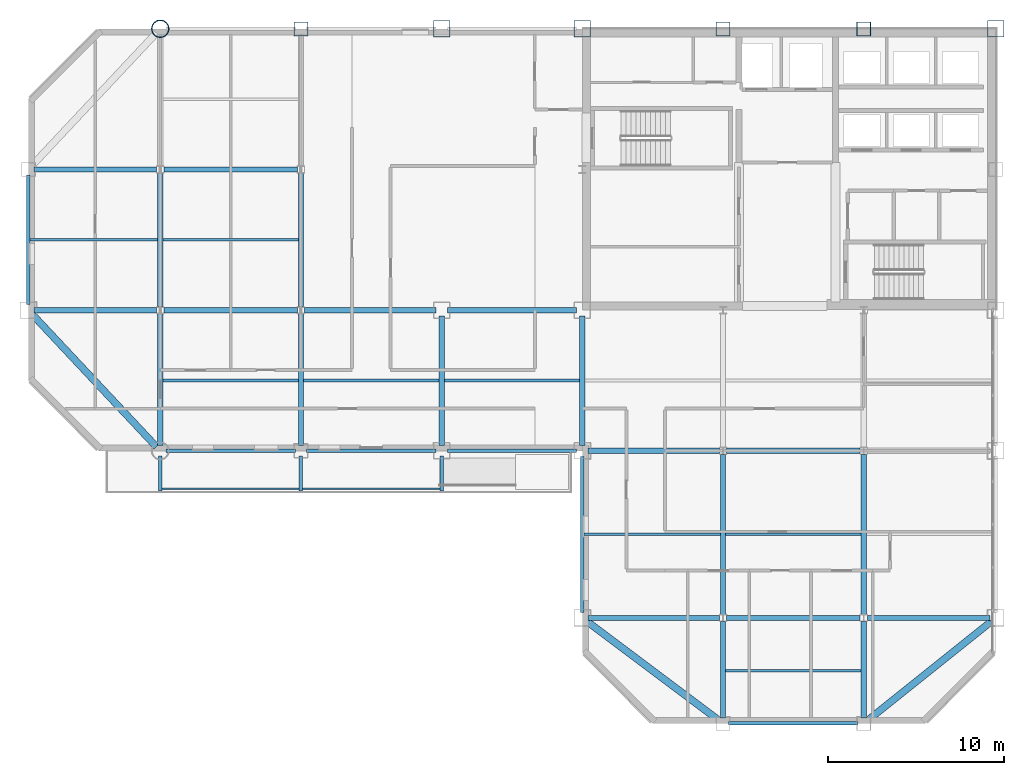
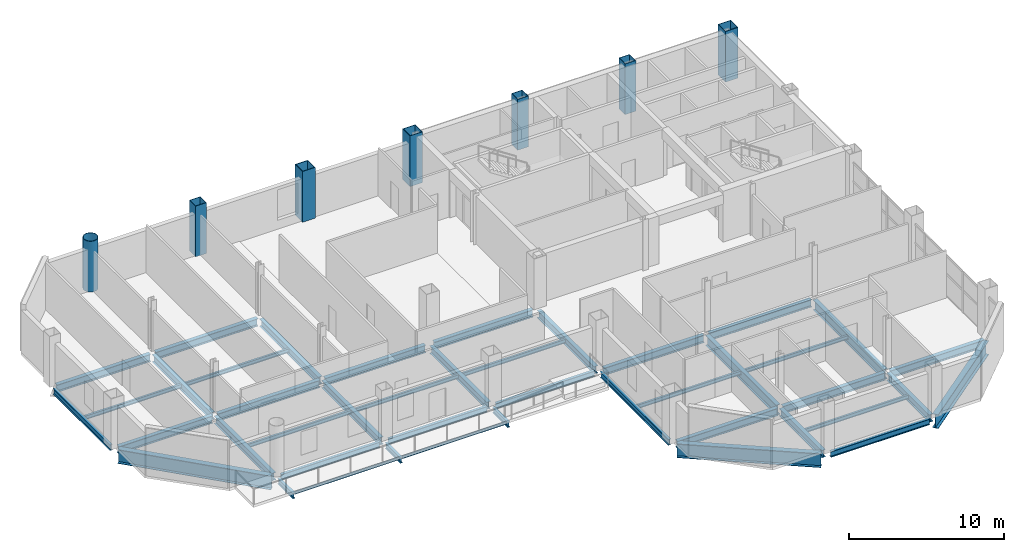
# One storey, part 3 of 14: 43 beams, 7 columns.
"""IFC4 building model written with IfcOpenShell, lengths in metres."""

from ifc_helpers import new_model, si_unit, direction, frame, origin, origin_2d, place, context, subcontext, project, spatial, hollow_rectangle, hollow_circle, i_section, extrude, material, material_profile, profile_set, type_object, element, save


model = new_model("IFC4")

# Units and contexts
model_context = context("Model", 3, precision=1e-05, world=origin(), true_north=direction((0.0, 1.0)))
body_context = subcontext(model_context, "Body", "Model", "MODEL_VIEW")
ifc_project = project(units=[si_unit("LENGTHUNIT", "METRE"), si_unit("AREAUNIT", "SQUARE_METRE"), si_unit("VOLUMEUNIT", "CUBIC_METRE"), si_unit("PLANEANGLEUNIT", "RADIAN"), si_unit("MASSUNIT", "GRAM", prefix="KILO")], contexts=[model_context])

# Site, building, storey
site_placement = place(None, origin())
site = spatial("IfcSite", under=ifc_project, at=site_placement, CompositionType="ELEMENT")
building_placement = place(site_placement, origin())
building = spatial("IfcBuilding", under=site, at=building_placement, Name="Qianrong Seaharbour Tower", CompositionType="ELEMENT")
storey_placement = place(building_placement, frame((0.0, 0.0, 209.800048828125)))
storey = spatial("IfcBuildingStorey", under=building, at=storey_placement, Name="L50", CompositionType="ELEMENT", Elevation=209.800048828125)

# Columns
ifc_material_1 = material(Name="Structural steel SN490B", Category="steel")
ifc_material_profile_1 = material_profile(ifc_material_1, hollow_rectangle(XDim=0.949951171875, YDim=0.949951171875, WallThickness=0.035888671875, at=origin_2d()), Name="BOX950x950x36")
ifc_profile_set_1 = profile_set([ifc_material_profile_1], Name="Structural steel SN490B")
column_type_1 = type_object("IfcColumnType", Name="COL-CFT-950", PredefinedType="COLUMN", material=ifc_profile_set_1)
for number, where, z_axis, x_axis, name in (
    (1, (32.5, 52.0, 0.0), (0.0, 0.0, 1.0), (1.0, 0.0, 0.0), "L50 Column MC-4 at G5/GH"),
    (2, (40.5, 52.0, 0.0), (0.0, 0.0, 1.0), (1.0, 0.0, 0.0), "L50 Column MC-4 at G6/GH"),
    (3, (64.0, 52.0, 0.0), (0.0, 0.0, 1.0), (1.0, 0.0, 0.0), "L50 Column MC-4 at G9/GH"),
):
    element("IfcColumn", number, at=place(storey_placement, frame(where, z_axis=z_axis, x_axis=x_axis)), inside=storey, type_object=column_type_1, Name=name, PredefinedType="COLUMN", context=body_context, shape_type="SweptSolid", body=[
        extrude(hollow_rectangle(XDim=0.949951171875, YDim=0.949951171875, WallThickness=0.035888671875, at=origin_2d()), origin(), (0.0, 0.0, 1.0), 4.0),
    ])
ifc_material_profile_2 = material_profile(ifc_material_1, hollow_circle(Radius=0.5, WallThickness=0.035888671875, at=origin_2d()), Name="CHS1000x36")
ifc_profile_set_2 = profile_set([ifc_material_profile_2], Name="Structural steel SN490B")
column_type_2 = type_object("IfcColumnType", Name="COL-CHS-1000", PredefinedType="COLUMN", material=ifc_profile_set_2)
column_placement = place(storey_placement, frame((16.5, 52.0, 0.0), z_axis=(0.0, 0.0, 1.0), x_axis=(1.0, 0.0, 0.0)))
element("IfcColumn", 4, at=column_placement, inside=storey, type_object=column_type_2, Name="L50 Column CC-2 at G3/GH", PredefinedType="COLUMN", context=body_context, shape_type="SweptSolid", body=[
    extrude(hollow_circle(Radius=0.5, WallThickness=0.035888671875, at=origin_2d()), origin(), (0.0, 0.0, 1.0), 4.0),
])
ifc_material_profile_3 = material_profile(ifc_material_1, hollow_rectangle(XDim=0.800048828125, YDim=0.800048828125, WallThickness=0.031982421875, at=origin_2d()), Name="BOX800x800x32")
ifc_profile_set_3 = profile_set([ifc_material_profile_3], Name="Structural steel SN490B")
column_type_3 = type_object("IfcColumnType", Name="COL-PER-800", PredefinedType="COLUMN", material=ifc_profile_set_3)
for number, where, z_axis, x_axis, name in (
    (5, (24.5, 52.0, 0.0), (0.0, 0.0, 1.0), (1.0, 0.0, 0.0), "L50 Column PC-3 at G4/GH"),
    (6, (48.5, 52.0, 0.0), (0.0, 0.0, 1.0), (1.0, 0.0, 0.0), "L50 Column PC-3 at G7/GH"),
    (7, (56.5, 52.0, 0.0), (0.0, 0.0, 1.0), (1.0, 0.0, 0.0), "L50 Column PC-3 at G8/GH"),
):
    element("IfcColumn", number, at=place(storey_placement, frame(where, z_axis=z_axis, x_axis=x_axis)), inside=storey, type_object=column_type_3, Name=name, PredefinedType="COLUMN", context=body_context, shape_type="SweptSolid", body=[
        extrude(hollow_rectangle(XDim=0.800048828125, YDim=0.800048828125, WallThickness=0.031982421875, at=origin_2d()), origin(), (0.0, 0.0, 1.0), 4.0),
    ])

# Beams
ifc_material_profile_4 = material_profile(ifc_material_1, i_section(OverallWidth=0.300048828125, OverallDepth=0.587890625, WebThickness=0.011962890625, FlangeThickness=0.02001953125, FilletRadius=0.02392578125, at=origin_2d()), Name="H588x300x12x20")
ifc_profile_set_4 = profile_set([ifc_material_profile_4], Name="Structural steel SN490B")
beam_type_1 = type_object("IfcBeamType", Name="BM-G-588", PredefinedType="BEAM", material=ifc_profile_set_4)
beam_1_placement = place(storey_placement, frame((40.820068359375, 18.5, -0.51904296875), z_axis=(1.0, 0.0, 0.0), x_axis=(0.0, 1.0, 0.0)))
element("IfcBeam", 8, at=beam_1_placement, inside=storey, type_object=beam_type_1, Name="L50 Primary Girder GD G6-G7", PredefinedType="BEAM", context=body_context, shape_type="SweptSolid", body=[
    extrude(i_section(OverallWidth=0.300048828125, OverallDepth=0.587890625, WebThickness=0.011962890625, FlangeThickness=0.02001953125, FilletRadius=0.02392578125, at=origin_2d()), origin(), (0.0, 0.0, 1.0), 7.47998046875),
])
beam_2_placement = place(storey_placement, frame((48.699951171875, 18.5, -0.51904296875), z_axis=(1.0, 0.0, 0.0), x_axis=(0.0, 1.0, 0.0)))
element("IfcBeam", 9, at=beam_2_placement, inside=storey, type_object=beam_type_1, Name="L50 Primary Girder GD G7-G8", PredefinedType="BEAM", context=body_context, shape_type="SweptSolid", body=[
    extrude(i_section(OverallWidth=0.300048828125, OverallDepth=0.587890625, WebThickness=0.011962890625, FlangeThickness=0.02001953125, FilletRadius=0.02392578125, at=origin_2d()), origin(), (0.0, 0.0, 1.0), 7.60009765625),
])
beam_3_placement = place(storey_placement, frame((56.699951171875, 18.5, -0.51904296875), z_axis=(1.0, 0.0, 0.0), x_axis=(0.0, 1.0, 0.0)))
element("IfcBeam", 10, at=beam_3_placement, inside=storey, type_object=beam_type_1, Name="L50 Primary Girder GD G8-G9", PredefinedType="BEAM", context=body_context, shape_type="SweptSolid", body=[
    extrude(i_section(OverallWidth=0.300048828125, OverallDepth=0.587890625, WebThickness=0.011962890625, FlangeThickness=0.02001953125, FilletRadius=0.02392578125, at=origin_2d()), origin(), (0.0, 0.0, 1.0), 6.97998046875),
])
beam_4_placement = place(storey_placement, frame((40.820068359375, 28.0, -0.51904296875), z_axis=(1.0, 0.0, 0.0), x_axis=(0.0, 1.0, 0.0)))
element("IfcBeam", 11, at=beam_4_placement, inside=storey, type_object=beam_type_1, Name="L50 Primary Girder GE G6-G7", PredefinedType="BEAM", context=body_context, shape_type="SweptSolid", body=[
    extrude(i_section(OverallWidth=0.300048828125, OverallDepth=0.587890625, WebThickness=0.011962890625, FlangeThickness=0.02001953125, FilletRadius=0.02392578125, at=origin_2d()), origin(), (0.0, 0.0, 1.0), 7.47998046875),
])
beam_5_placement = place(storey_placement, frame((48.699951171875, 28.0, -0.51904296875), z_axis=(1.0, 0.0, 0.0), x_axis=(0.0, 1.0, 0.0)))
element("IfcBeam", 12, at=beam_5_placement, inside=storey, type_object=beam_type_1, Name="L50 Primary Girder GE G7-G8", PredefinedType="BEAM", context=body_context, shape_type="SweptSolid", body=[
    extrude(i_section(OverallWidth=0.300048828125, OverallDepth=0.587890625, WebThickness=0.011962890625, FlangeThickness=0.02001953125, FilletRadius=0.02392578125, at=origin_2d()), origin(), (0.0, 0.0, 1.0), 7.60009765625),
])
beam_6_placement = place(storey_placement, frame((9.320068359375, 36.0, -0.51904296875), z_axis=(1.0, 0.0, 0.0), x_axis=(0.0, 1.0, 0.0)))
element("IfcBeam", 13, at=beam_6_placement, inside=storey, type_object=beam_type_1, Name="L50 Primary Girder GF G2-G3", PredefinedType="BEAM", context=body_context, shape_type="SweptSolid", body=[
    extrude(i_section(OverallWidth=0.300048828125, OverallDepth=0.587890625, WebThickness=0.011962890625, FlangeThickness=0.02001953125, FilletRadius=0.02392578125, at=origin_2d()), origin(), (0.0, 0.0, 1.0), 6.97998046875),
])
beam_7_placement = place(storey_placement, frame((16.699951171875, 36.0, -0.51904296875), z_axis=(1.0, 0.0, 0.0), x_axis=(0.0, 1.0, 0.0)))
element("IfcBeam", 14, at=beam_7_placement, inside=storey, type_object=beam_type_1, Name="L50 Primary Girder GF G3-G4", PredefinedType="BEAM", context=body_context, shape_type="SweptSolid", body=[
    extrude(i_section(OverallWidth=0.300048828125, OverallDepth=0.587890625, WebThickness=0.011962890625, FlangeThickness=0.02001953125, FilletRadius=0.02392578125, at=origin_2d()), origin(), (0.0, 0.0, 1.0), 7.60009765625),
])
beam_8_placement = place(storey_placement, frame((24.699951171875, 36.0, -0.51904296875), z_axis=(1.0, 0.0, 0.0), x_axis=(0.0, 1.0, 0.0)))
element("IfcBeam", 15, at=beam_8_placement, inside=storey, type_object=beam_type_1, Name="L50 Primary Girder GF G4-G5", PredefinedType="BEAM", context=body_context, shape_type="SweptSolid", body=[
    extrude(i_section(OverallWidth=0.300048828125, OverallDepth=0.587890625, WebThickness=0.011962890625, FlangeThickness=0.02001953125, FilletRadius=0.02392578125, at=origin_2d()), origin(), (0.0, 0.0, 1.0), 7.47998046875),
])
beam_9_placement = place(storey_placement, frame((32.820068359375, 36.0, -0.51904296875), z_axis=(1.0, 0.0, 0.0), x_axis=(0.0, 1.0, 0.0)))
element("IfcBeam", 16, at=beam_9_placement, inside=storey, type_object=beam_type_1, Name="L50 Primary Girder GF G5-G6", PredefinedType="BEAM", context=body_context, shape_type="SweptSolid", body=[
    extrude(i_section(OverallWidth=0.300048828125, OverallDepth=0.587890625, WebThickness=0.011962890625, FlangeThickness=0.02001953125, FilletRadius=0.02392578125, at=origin_2d()), origin(), (0.0, 0.0, 1.0), 7.35986328125),
])
beam_10_placement = place(storey_placement, frame((9.320068359375, 44.0, -0.51904296875), z_axis=(1.0, 0.0, 0.0), x_axis=(0.0, 1.0, 0.0)))
element("IfcBeam", 17, at=beam_10_placement, inside=storey, type_object=beam_type_1, Name="L50 Primary Girder GG G2-G3", PredefinedType="BEAM", context=body_context, shape_type="SweptSolid", body=[
    extrude(i_section(OverallWidth=0.300048828125, OverallDepth=0.587890625, WebThickness=0.011962890625, FlangeThickness=0.02001953125, FilletRadius=0.02392578125, at=origin_2d()), origin(), (0.0, 0.0, 1.0), 6.97998046875),
])
beam_11_placement = place(storey_placement, frame((16.699951171875, 44.0, -0.51904296875), z_axis=(1.0, 0.0, 0.0), x_axis=(0.0, 1.0, 0.0)))
element("IfcBeam", 18, at=beam_11_placement, inside=storey, type_object=beam_type_1, Name="L50 Primary Girder GG G3-G4", PredefinedType="BEAM", context=body_context, shape_type="SweptSolid", body=[
    extrude(i_section(OverallWidth=0.300048828125, OverallDepth=0.587890625, WebThickness=0.011962890625, FlangeThickness=0.02001953125, FilletRadius=0.02392578125, at=origin_2d()), origin(), (0.0, 0.0, 1.0), 7.60009765625),
])
beam_12_placement = place(storey_placement, frame((16.5, 28.320068359375, -0.51904296875), z_axis=(0.0, 1.0, 0.0), x_axis=(-1.0, 0.0, 0.0)))
element("IfcBeam", 19, at=beam_12_placement, inside=storey, type_object=beam_type_1, Name="L50 Primary Girder G3 GE-GF", PredefinedType="BEAM", context=body_context, shape_type="SweptSolid", body=[
    extrude(i_section(OverallWidth=0.300048828125, OverallDepth=0.587890625, WebThickness=0.011962890625, FlangeThickness=0.02001953125, FilletRadius=0.02392578125, at=origin_2d()), origin(), (0.0, 0.0, 1.0), 7.47998046875),
])
beam_13_placement = place(storey_placement, frame((16.5, 36.199951171875, -0.51904296875), z_axis=(0.0, 1.0, 0.0), x_axis=(-1.0, 0.0, 0.0)))
element("IfcBeam", 20, at=beam_13_placement, inside=storey, type_object=beam_type_1, Name="L50 Primary Girder G3 GF-GG", PredefinedType="BEAM", context=body_context, shape_type="SweptSolid", body=[
    extrude(i_section(OverallWidth=0.300048828125, OverallDepth=0.587890625, WebThickness=0.011962890625, FlangeThickness=0.02001953125, FilletRadius=0.02392578125, at=origin_2d()), origin(), (0.0, 0.0, 1.0), 7.60009765625),
])
beam_14_placement = place(storey_placement, frame((24.5, 28.320068359375, -0.51904296875), z_axis=(0.0, 1.0, 0.0), x_axis=(-1.0, 0.0, 0.0)))
element("IfcBeam", 21, at=beam_14_placement, inside=storey, type_object=beam_type_1, Name="L50 Primary Girder G4 GE-GF", PredefinedType="BEAM", context=body_context, shape_type="SweptSolid", body=[
    extrude(i_section(OverallWidth=0.300048828125, OverallDepth=0.587890625, WebThickness=0.011962890625, FlangeThickness=0.02001953125, FilletRadius=0.02392578125, at=origin_2d()), origin(), (0.0, 0.0, 1.0), 7.47998046875),
])
beam_15_placement = place(storey_placement, frame((24.5, 36.199951171875, -0.51904296875), z_axis=(0.0, 1.0, 0.0), x_axis=(-1.0, 0.0, 0.0)))
element("IfcBeam", 22, at=beam_15_placement, inside=storey, type_object=beam_type_1, Name="L50 Primary Girder G4 GF-GG", PredefinedType="BEAM", context=body_context, shape_type="SweptSolid", body=[
    extrude(i_section(OverallWidth=0.300048828125, OverallDepth=0.587890625, WebThickness=0.011962890625, FlangeThickness=0.02001953125, FilletRadius=0.02392578125, at=origin_2d()), origin(), (0.0, 0.0, 1.0), 7.60009765625),
])
for number, where, z_axis, x_axis, name in (
    (23, (32.5, 28.320068359375, -0.51904296875), (0.0, 1.0, 0.0), (-1.0, 0.0, 0.0), "L50 Primary Girder G5 GE-GF"),
    (24, (40.5, 28.320068359375, -0.51904296875), (0.0, 1.0, 0.0), (-1.0, 0.0, 0.0), "L50 Primary Girder G6 GE-GF"),
):
    element("IfcBeam", number, at=place(storey_placement, frame(where, z_axis=z_axis, x_axis=x_axis)), inside=storey, type_object=beam_type_1, Name=name, PredefinedType="BEAM", context=body_context, shape_type="SweptSolid", body=[
        extrude(i_section(OverallWidth=0.300048828125, OverallDepth=0.587890625, WebThickness=0.011962890625, FlangeThickness=0.02001953125, FilletRadius=0.02392578125, at=origin_2d()), origin(), (0.0, 0.0, 1.0), 7.35986328125),
    ])
for number, where, z_axis, x_axis, name in (
    (25, (48.5, 12.820068359375, -0.51904296875), (0.0, 1.0, 0.0), (-1.0, 0.0, 0.0), "L50 Primary Girder G7 GC-GD"),
    (26, (56.5, 12.820068359375, -0.51904296875), (0.0, 1.0, 0.0), (-1.0, 0.0, 0.0), "L50 Primary Girder G8 GC-GD"),
):
    element("IfcBeam", number, at=place(storey_placement, frame(where, z_axis=z_axis, x_axis=x_axis)), inside=storey, type_object=beam_type_1, Name=name, PredefinedType="BEAM", context=body_context, shape_type="SweptSolid", body=[
        extrude(i_section(OverallWidth=0.300048828125, OverallDepth=0.587890625, WebThickness=0.011962890625, FlangeThickness=0.02001953125, FilletRadius=0.02392578125, at=origin_2d()), origin(), (0.0, 0.0, 1.0), 5.47998046875),
    ])
ifc_material_profile_5 = material_profile(ifc_material_1, i_section(OverallWidth=0.300048828125, OverallDepth=0.800048828125, WebThickness=0.013916015625, FlangeThickness=0.02587890625, FilletRadius=0.028076171875, at=origin_2d()), Name="H800x300x14x26")
ifc_profile_set_5 = profile_set([ifc_material_profile_5], Name="Structural steel SN490B")
beam_type_2 = type_object("IfcBeamType", Name="BM-G-800", PredefinedType="BEAM", material=ifc_profile_set_5)
for number, where, z_axis, x_axis, name in (
    (27, (48.5, 18.699951171875, -0.625), (0.0, 1.0, 0.0), (-1.0, 0.0, 0.0), "L50 Primary Girder G7 GD-GE"),
    (28, (56.5, 18.699951171875, -0.625), (0.0, 1.0, 0.0), (-1.0, 0.0, 0.0), "L50 Primary Girder G8 GD-GE"),
):
    element("IfcBeam", number, at=place(storey_placement, frame(where, z_axis=z_axis, x_axis=x_axis)), inside=storey, type_object=beam_type_2, Name=name, PredefinedType="BEAM", context=body_context, shape_type="SweptSolid", body=[
        extrude(i_section(OverallWidth=0.300048828125, OverallDepth=0.800048828125, WebThickness=0.013916015625, FlangeThickness=0.02587890625, FilletRadius=0.028076171875, at=origin_2d()), origin(), (0.0, 0.0, 1.0), 9.10009765625),
    ])
ifc_material_2 = material(Name="Structural steel SN400B", Category="steel")
ifc_material_profile_6 = material_profile(ifc_material_2, i_section(OverallWidth=0.14990234375, OverallDepth=0.300048828125, WebThickness=0.006591796875, FlangeThickness=0.009033203125, FilletRadius=0.012939453125, at=origin_2d()), Name="H300x150x6.5x9")
ifc_profile_set_6 = profile_set([ifc_material_profile_6], Name="Structural steel SN400B")
beam_type_3 = type_object("IfcBeamType", Name="BM-J-300", PredefinedType="JOIST", material=ifc_profile_set_6)
beam_16_placement = place(storey_placement, frame((9.10009765625, 40.0, -0.375), z_axis=(1.0, 0.0, 0.0), x_axis=(0.0, 1.0, 0.0)))
element("IfcBeam", 29, at=beam_16_placement, inside=storey, type_object=beam_type_3, Name="L50 Composite Floor Joist G2-G3/GF-GG", PredefinedType="JOIST", context=body_context, shape_type="SweptSolid", body=[
    extrude(i_section(OverallWidth=0.14990234375, OverallDepth=0.300048828125, WebThickness=0.006591796875, FlangeThickness=0.009033203125, FilletRadius=0.012939453125, at=origin_2d()), origin(), (0.0, 0.0, 1.0), 7.25),
])
for number, where, z_axis, x_axis, name in (
    (30, (16.64990234375, 32.0, -0.375), (1.0, 0.0, 0.0), (0.0, 1.0, 0.0), "L50 Composite Floor Joist G3-G4/GE-GF"),
    (31, (16.64990234375, 40.0, -0.375), (1.0, 0.0, 0.0), (0.0, 1.0, 0.0), "L50 Composite Floor Joist G3-G4/GF-GG"),
    (32, (24.64990234375, 32.0, -0.375), (1.0, 0.0, 0.0), (0.0, 1.0, 0.0), "L50 Composite Floor Joist G4-G5/GE-GF"),
    (33, (32.64990234375, 32.0, -0.375), (1.0, 0.0, 0.0), (0.0, 1.0, 0.0), "L50 Composite Floor Joist G5-G6/GE-GF"),
):
    element("IfcBeam", number, at=place(storey_placement, frame(where, z_axis=z_axis, x_axis=x_axis)), inside=storey, type_object=beam_type_3, Name=name, PredefinedType="JOIST", context=body_context, shape_type="SweptSolid", body=[
        extrude(i_section(OverallWidth=0.14990234375, OverallDepth=0.300048828125, WebThickness=0.006591796875, FlangeThickness=0.009033203125, FilletRadius=0.012939453125, at=origin_2d()), origin(), (0.0, 0.0, 1.0), 7.7001953125),
    ])
beam_17_placement = place(storey_placement, frame((40.60009765625, 23.25, -0.375), z_axis=(1.0, 0.0, 0.0), x_axis=(0.0, 1.0, 0.0)))
element("IfcBeam", 34, at=beam_17_placement, inside=storey, type_object=beam_type_3, Name="L50 Composite Floor Joist G6-G7/GD-GE", PredefinedType="JOIST", context=body_context, shape_type="SweptSolid", body=[
    extrude(i_section(OverallWidth=0.14990234375, OverallDepth=0.300048828125, WebThickness=0.006591796875, FlangeThickness=0.009033203125, FilletRadius=0.012939453125, at=origin_2d()), origin(), (0.0, 0.0, 1.0), 7.75),
])
for number, where, z_axis, x_axis, name in (
    (35, (48.64990234375, 15.5, -0.375), (1.0, 0.0, 0.0), (0.0, 1.0, 0.0), "L50 Composite Floor Joist G7-G8/GC-GD"),
    (36, (48.64990234375, 23.25, -0.375), (1.0, 0.0, 0.0), (0.0, 1.0, 0.0), "L50 Composite Floor Joist G7-G8/GD-GE"),
):
    element("IfcBeam", number, at=place(storey_placement, frame(where, z_axis=z_axis, x_axis=x_axis)), inside=storey, type_object=beam_type_3, Name=name, PredefinedType="JOIST", context=body_context, shape_type="SweptSolid", body=[
        extrude(i_section(OverallWidth=0.14990234375, OverallDepth=0.300048828125, WebThickness=0.006591796875, FlangeThickness=0.009033203125, FilletRadius=0.012939453125, at=origin_2d()), origin(), (0.0, 0.0, 1.0), 7.7001953125),
    ])
ifc_material_profile_7 = material_profile(ifc_material_2, i_section(OverallWidth=0.10009765625, OverallDepth=0.199951171875, WebThickness=0.005615234375, FlangeThickness=0.008056640625, FilletRadius=0.010986328125, at=origin_2d()), Name="H200x100x5.5x8")
ifc_profile_set_7 = profile_set([ifc_material_profile_7], Name="Structural steel SN400B")
beam_type_4 = type_object("IfcBeamType", Name="BM-PURLIN-200", PredefinedType="JOIST", material=ifc_profile_set_7)
for number, where, z_axis, x_axis, name in (
    (37, (16.60009765625, 25.840087890625, -0.324951171875), (1.0, 0.0, 0.0), (0.0, 1.0, 0.0), "L50 Harbourfront Ribbon Edge Beam G4"),
    (38, (24.60009765625, 25.840087890625, -0.324951171875), (1.0, 0.0, 0.0), (0.0, 1.0, 0.0), "L50 Harbourfront Ribbon Edge Beam G5"),
):
    element("IfcBeam", number, at=place(storey_placement, frame(where, z_axis=z_axis, x_axis=x_axis)), inside=storey, type_object=beam_type_4, Name=name, PredefinedType="JOIST", context=body_context, shape_type="SweptSolid", body=[
        extrude(i_section(OverallWidth=0.10009765625, OverallDepth=0.199951171875, WebThickness=0.005615234375, FlangeThickness=0.008056640625, FilletRadius=0.010986328125, at=origin_2d()), origin(), (0.0, 0.0, 1.0), 7.7998046875),
    ])
ifc_material_profile_8 = material_profile(ifc_material_1, i_section(OverallWidth=0.199951171875, OverallDepth=0.449951171875, WebThickness=0.009033203125, FlangeThickness=0.013916015625, FilletRadius=0.01806640625, at=origin_2d()), Name="H450x200x9x14")
ifc_profile_set_8 = profile_set([ifc_material_profile_8], Name="Structural steel SN490B")
beam_type_5 = type_object("IfcBeamType", Name="BM-RIB-450", PredefinedType="BEAM", material=ifc_profile_set_8)
for number, where, z_axis, x_axis, name in (
    (39, (16.5, 27.699951171875, -0.449951171875), (0.0, -1.0, 0.0), (1.0, 0.0, 0.0), "L50 Harbourfront Ribbon Cantilever Bracket G3"),
    (40, (24.5, 27.699951171875, -0.449951171875), (0.0, -1.0, 0.0), (1.0, 0.0, 0.0), "L50 Harbourfront Ribbon Cantilever Bracket G4"),
    (41, (32.5, 27.699951171875, -0.449951171875), (0.0, -1.0, 0.0), (1.0, 0.0, 0.0), "L50 Harbourfront Ribbon Cantilever Bracket G5"),
):
    element("IfcBeam", number, at=place(storey_placement, frame(where, z_axis=z_axis, x_axis=x_axis)), inside=storey, type_object=beam_type_5, Name=name, PredefinedType="BEAM", context=body_context, shape_type="SweptSolid", body=[
        extrude(i_section(OverallWidth=0.199951171875, OverallDepth=0.449951171875, WebThickness=0.009033203125, FlangeThickness=0.013916015625, FilletRadius=0.01806640625, at=origin_2d()), origin(), (0.0, 0.0, 1.0), 1.97998046875),
    ])
ifc_material_profile_9 = material_profile(ifc_material_2, i_section(OverallWidth=0.199951171875, OverallDepth=0.449951171875, WebThickness=0.009033203125, FlangeThickness=0.013916015625, FilletRadius=0.01806640625, at=origin_2d()), Name="H450x200x9x14")
ifc_profile_set_9 = profile_set([ifc_material_profile_9], Name="Structural steel SN400B")
beam_type_6 = type_object("IfcBeamType", Name="BM-SP-450", PredefinedType="SPANDREL", material=ifc_profile_set_9)
for number, where, z_axis, x_axis, name in (
    (42, (48.820068359375, 12.5, -0.449951171875), (1.0, 0.0, 0.0), (0.0, 1.0, 0.0), "L50 Spandrel Girder GC G7-G8"),
    (43, (16.820068359375, 28.0, -0.449951171875), (1.0, 0.0, 0.0), (0.0, 1.0, 0.0), "L50 Spandrel Girder GE G3-G4"),
    (44, (24.820068359375, 28.0, -0.449951171875), (1.0, 0.0, 0.0), (0.0, 1.0, 0.0), "L50 Spandrel Girder GE G4-G5"),
    (45, (32.820068359375, 28.0, -0.449951171875), (1.0, 0.0, 0.0), (0.0, 1.0, 0.0), "L50 Spandrel Girder GE G5-G6"),
    (46, (9.0, 36.320068359375, -0.449951171875), (0.0, 1.0, 0.0), (-1.0, 0.0, 0.0), "L50 Spandrel Girder G2 GF-GG"),
):
    element("IfcBeam", number, at=place(storey_placement, frame(where, z_axis=z_axis, x_axis=x_axis)), inside=storey, type_object=beam_type_6, Name=name, PredefinedType="SPANDREL", context=body_context, shape_type="SweptSolid", body=[
        extrude(i_section(OverallWidth=0.199951171875, OverallDepth=0.449951171875, WebThickness=0.009033203125, FlangeThickness=0.013916015625, FilletRadius=0.01806640625, at=origin_2d()), origin(), (0.0, 0.0, 1.0), 7.35986328125),
    ])
beam_18_placement = place(storey_placement, frame((40.5, 18.820068359375, -0.449951171875), z_axis=(0.0, 1.0, 0.0), x_axis=(-1.0, 0.0, 0.0)))
element("IfcBeam", 47, at=beam_18_placement, inside=storey, type_object=beam_type_6, Name="L50 Spandrel Girder G6 GD-GE", PredefinedType="SPANDREL", context=body_context, shape_type="SweptSolid", body=[
    extrude(i_section(OverallWidth=0.199951171875, OverallDepth=0.449951171875, WebThickness=0.009033203125, FlangeThickness=0.013916015625, FilletRadius=0.01806640625, at=origin_2d()), origin(), (0.0, 0.0, 1.0), 8.85986328125),
])
ifc_material_profile_10 = material_profile(ifc_material_1, i_section(OverallWidth=0.39990234375, OverallDepth=1.10009765625, WebThickness=0.02001953125, FlangeThickness=0.035888671875, at=origin_2d()), Name="BH1100x400x20x36")
ifc_profile_set_10 = profile_set([ifc_material_profile_10], Name="Structural steel SN490B")
beam_type_7 = type_object("IfcBeamType", Name="BM-TG-1100", PredefinedType="BEAM", material=ifc_profile_set_10)
beam_19_placement = place(storey_placement, frame((16.28125, 28.2333984375, -0.775146484375), z_axis=(-0.683947420573, 0.729531305628, 0.0), x_axis=(-0.729531305628, -0.683947420573, 0.0)))
element("IfcBeam", 48, at=beam_19_placement, inside=storey, type_object=beam_type_7, Name="L50 Chamfer Corner Spandrel Girder G2/GE", PredefinedType="BEAM", context=body_context, shape_type="SweptSolid", body=[
    extrude(i_section(OverallWidth=0.39990234375, OverallDepth=1.10009765625, WebThickness=0.02001953125, FlangeThickness=0.035888671875, at=origin_2d()), origin(), (0.0, 0.0, 1.0), 10.326171875),
])
beam_20_placement = place(storey_placement, frame((48.243896484375, 12.69189453125, -0.775146484375), z_axis=(-0.799981219482, 0.600025039875, 0.0), x_axis=(-0.600025039875, -0.799981219482, 0.0)))
element("IfcBeam", 49, at=beam_20_placement, inside=storey, type_object=beam_type_7, Name="L50 Chamfer Corner Spandrel Girder G6/GC", PredefinedType="BEAM", context=body_context, shape_type="SweptSolid", body=[
    extrude(i_section(OverallWidth=0.39990234375, OverallDepth=1.10009765625, WebThickness=0.02001953125, FlangeThickness=0.035888671875, at=origin_2d()), origin(), (0.0, 0.0, 1.0), 9.35986328125),
])
beam_21_placement = place(storey_placement, frame((56.75, 12.699951171875, -0.775146484375), z_axis=(0.780863495394, 0.624701690058, 0.0), x_axis=(-0.624701690058, 0.780863495394, 0.0)))
element("IfcBeam", 50, at=beam_21_placement, inside=storey, type_object=beam_type_7, Name="L50 Chamfer Corner Spandrel Girder G9/GC", PredefinedType="BEAM", context=body_context, shape_type="SweptSolid", body=[
    extrude(i_section(OverallWidth=0.39990234375, OverallDepth=1.10009765625, WebThickness=0.02001953125, FlangeThickness=0.035888671875, at=origin_2d()), origin(), (0.0, 0.0, 1.0), 8.96435546875),
])

save(model, "model.ifc")
